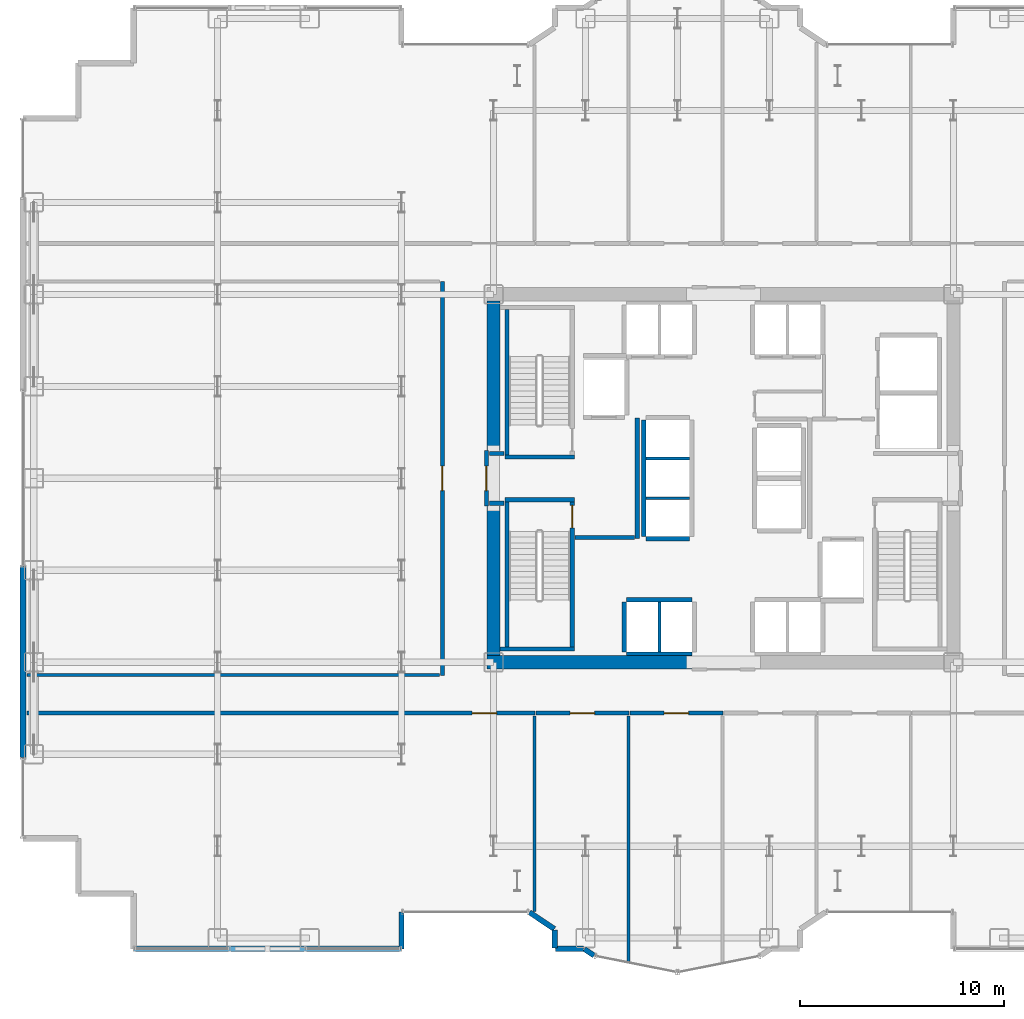
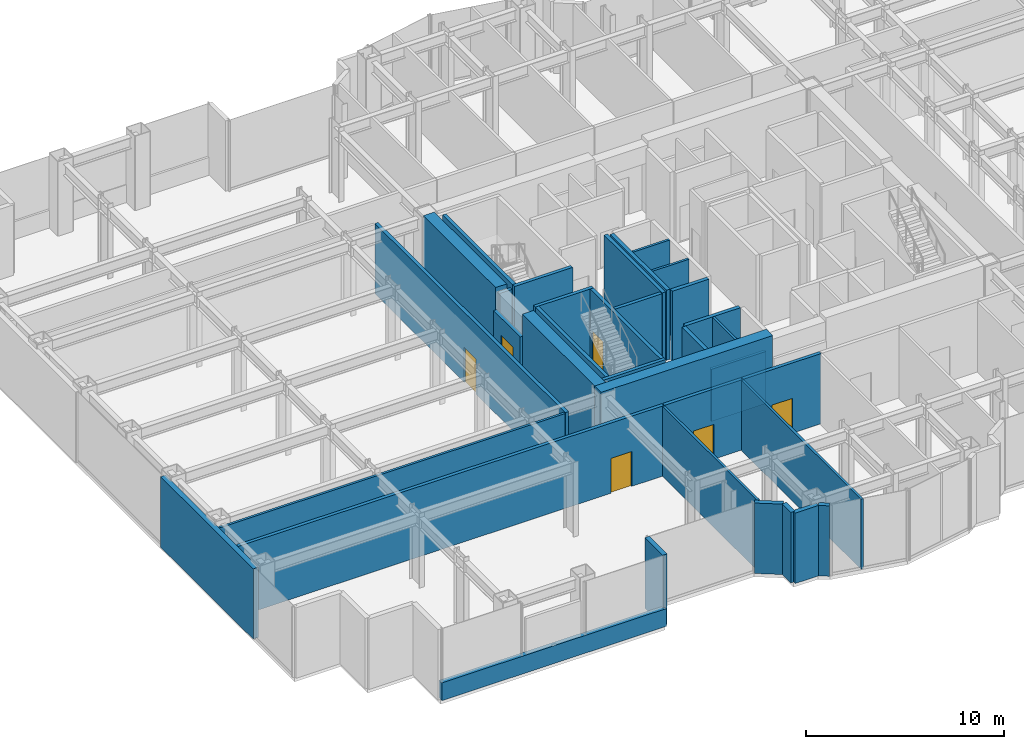
# One storey, part 22 of 30: 36 walls, 6 doors, 6 openings.
"""IFC4 building model written with IfcOpenShell, lengths in metres."""

import ifcopenshell
import ifcopenshell.guid

model = None  # the IFC model being written
_history = None  # IfcOwnerHistory: only IFC2X3 demands one
_inside = {}  # id of a spatial element -> (the spatial element, [elements in it])
_under = {}  # id of a project, library or spatial element -> (it, [spatial elements below it])
_declared = {}  # id of a project -> (the project, [libraries it declares])
_typed = {}  # id of a type object -> (the type object, [elements of that type])
_made_of = {}  # id of a material, layer set ... -> (it, [elements and type objects made of it])


def new_model(schema):
    """Start an empty IFC model of exactly this schema.

    Asked for "IFC4X3", IfcOpenShell would pick the latest addendum, in which some entities
    have other attributes; the version numbers below select the first issue.
    IFC2X3 requires an IfcOwnerHistory on every rooted entity: one is made here for all.
    """
    global model, _history
    if schema == "IFC4X3":
        model = ifcopenshell.file(schema_version=(4, 3, 0, 0))
    else:
        model = ifcopenshell.file(schema=schema)
    _inside.clear()
    _under.clear()
    _declared.clear()
    _typed.clear()
    _made_of.clear()
    _history = None
    if model.schema == "IFC2X3":
        org = make("IfcOrganization", Name="unknown")
        user = make(
            "IfcPersonAndOrganization",
            ThePerson=make("IfcPerson", FamilyName="unknown"),
            TheOrganization=org,
        )
        app = make(
            "IfcApplication",
            ApplicationDeveloper=org,
            Version="unknown",
            ApplicationFullName="unknown",
            ApplicationIdentifier="unknown",
        )
        _history = make(
            "IfcOwnerHistory",
            OwningUser=user,
            OwningApplication=app,
            ChangeAction="ADDED",
            CreationDate=0,
        )
    return model


def make(cls, **values):
    """One entity of the class cls with the attributes given. An attribute that is None is left unset."""
    return model.create_entity(
        cls, **{name: value for name, value in values.items() if value is not None}
    )


def rooted(cls, **values):
    """An entity with a GlobalId (a new one), such as an element, a storey or a relation."""
    return make(cls, GlobalId=ifcopenshell.guid.new(), OwnerHistory=_history, **values)


def si_unit(unit_type, name, prefix=None):
    """IfcSIUnit, for example si_unit("LENGTHUNIT", "METRE", prefix="MILLI")."""
    return make("IfcSIUnit", UnitType=unit_type, Prefix=prefix, Name=name)


def assignment(units):
    """IfcUnitAssignment: the units of a project."""
    return None if units is None else make("IfcUnitAssignment", Units=units)


def point(xyz):
    """IfcCartesianPoint."""
    return None if xyz is None else make("IfcCartesianPoint", Coordinates=xyz)


def direction(xyz):
    """IfcDirection."""
    return None if xyz is None else make("IfcDirection", DirectionRatios=xyz)


def frame(location, z_axis=None, x_axis=None):
    """IfcAxis2Placement3D, a coordinate frame: its origin and axes. An axis left out is left unset."""
    return make(
        "IfcAxis2Placement3D",
        Location=point(location),
        Axis=direction(z_axis),
        RefDirection=direction(x_axis),
    )


def frame_2d(location, x_axis=None):
    """IfcAxis2Placement2D, a coordinate frame in the plane: its origin and x axis."""
    return make(
        "IfcAxis2Placement2D", Location=point(location), RefDirection=direction(x_axis)
    )


def origin():
    """The frame at (0, 0, 0) with its axes left unset."""
    return frame((0.0, 0.0, 0.0))


def place(relative_to, where):
    """IfcLocalPlacement: puts the frame where relative to a parent placement (None: the world)."""
    return make(
        "IfcLocalPlacement", PlacementRelTo=relative_to, RelativePlacement=where
    )


def context(
    kind, dimensions, precision=None, world=None, true_north=None, identifier=None
):
    """IfcGeometricRepresentationContext, for example the 3D "Model" context."""
    return make(
        "IfcGeometricRepresentationContext",
        ContextIdentifier=identifier,
        ContextType=kind,
        CoordinateSpaceDimension=dimensions,
        Precision=precision,
        WorldCoordinateSystem=world,
        TrueNorth=true_north,
    )


def subcontext(parent, identifier, kind, view, scale=None):
    """IfcGeometricRepresentationSubContext, for example "Body" below "Model"."""
    return make(
        "IfcGeometricRepresentationSubContext",
        ContextIdentifier=identifier,
        ContextType=kind,
        ParentContext=parent,
        TargetScale=scale,
        TargetView=view,
    )


def project(units=None, contexts=None):
    """IfcProject with its units and contexts."""
    return rooted(
        "IfcProject",
        Name="project",
        RepresentationContexts=contexts,
        UnitsInContext=assignment(units),
    )


def spatial(cls, under=None, at=None, **own):
    """A site, building, storey or space (cls), placed at a placement, below another one or the project."""
    s = rooted(cls, ObjectPlacement=at, **own)
    if under is not None:
        _under.setdefault(under.id(), (under, []))[1].append(s)
    return s


def profile(cls, at=None, kind="AREA", **sizes):
    """A parametric profile (cls). Its sizes go by their IFC names, for example OverallWidth=200.0."""
    return make(cls, ProfileType=kind, Position=at, **sizes)


def rectangle(**sizes):
    """IfcRectangleProfileDef."""
    return profile("IfcRectangleProfileDef", **sizes)


def extrude(swept, where, along, depth):
    """IfcExtrudedAreaSolid: the profile swept, set in the frame where, extruded along a direction by depth."""
    return make(
        "IfcExtrudedAreaSolid",
        SweptArea=swept,
        Position=where,
        ExtrudedDirection=direction(along),
        Depth=depth,
    )


def shape(context_of_items, identifier, shape_type, items):
    """IfcShapeRepresentation: the items that make up one representation, for example the "Body"."""
    return make(
        "IfcShapeRepresentation",
        ContextOfItems=context_of_items,
        RepresentationIdentifier=identifier,
        RepresentationType=shape_type,
        Items=items,
    )


def source(mapping_origin, context_of_items, identifier, shape_type, items):
    """IfcRepresentationMap: a shape defined once, which mapped items show again and again."""
    return make(
        "IfcRepresentationMap",
        MappingOrigin=mapping_origin,
        MappedRepresentation=shape(context_of_items, identifier, shape_type, items),
    )


def transform(
    local_origin,
    x_axis=None,
    y_axis=None,
    z_axis=None,
    scale=None,
    scale2=None,
    scale3=None,
    uniform=True,
):
    """IfcCartesianTransformationOperator3D, or its non-uniform kind. x_axis, y_axis, z_axis: its Axis1, 2, 3."""
    if uniform:
        return make(
            "IfcCartesianTransformationOperator3D",
            Axis1=direction(x_axis),
            Axis2=direction(y_axis),
            LocalOrigin=point(local_origin),
            Scale=scale,
            Axis3=direction(z_axis),
        )
    return make(
        "IfcCartesianTransformationOperator3DnonUniform",
        Axis1=direction(x_axis),
        Axis2=direction(y_axis),
        LocalOrigin=point(local_origin),
        Scale=scale,
        Axis3=direction(z_axis),
        Scale2=scale2,
        Scale3=scale3,
    )


def mapped(mapping_source, mapping_target):
    """IfcMappedItem: shows the shape of a source again, moved by a transform."""
    return make(
        "IfcMappedItem", MappingSource=mapping_source, MappingTarget=mapping_target
    )


def material(Name=None, Category=None):
    """IfcMaterial."""
    return make("IfcMaterial", Name=Name, Category=Category)


def layer(
    of_material, thickness, ventilated=None, Name=None, Category=None, Priority=None
):
    """IfcMaterialLayer: one layer of a wall or slab, of a material (None: an air gap)."""
    return make(
        "IfcMaterialLayer",
        Material=of_material,
        LayerThickness=thickness,
        IsVentilated=ventilated,
        Name=Name,
        Category=Category,
        Priority=Priority,
    )


def layer_set(layers, Name=None):
    """IfcMaterialLayerSet."""
    return make("IfcMaterialLayerSet", MaterialLayers=layers, LayerSetName=Name)


def made_of(thing, what):
    """Note that an element or type object is made of a material, layer set ...; save() writes the relation."""
    if what is not None:
        _made_of.setdefault(what.id(), (what, []))[1].append(thing)
    return thing


def type_object(cls, material=None, **own):
    """A type object (cls), such as IfcWallType, which elements share."""
    return made_of(rooted(cls, **own), material)


def element(
    cls,
    number,
    at=None,
    inside=None,
    cuts=None,
    type_object=None,
    material=None,
    context=None,
    identifier="Body",
    shape_type=None,
    held_by="IfcProductDefinitionShape",
    body=None,
    shapes=None,
    **own,
):
    """One element of the class cls, such as IfcWall. Its Tag is "e" and its number.

    at: its placement. inside: the storey or other place that contains it. cuts: it is an
    opening in that element (IfcRelVoidsElement). A single representation is given by context,
    identifier, shape_type and body (its items); several are given by shapes. held_by: the class
    of the entity that holds the representations. save() writes the other relations.
    """
    e = rooted(cls, Tag="e%d" % number, ObjectPlacement=at, **own)
    if body is not None:
        shapes = [shape(context, identifier, shape_type, body)]
    if shapes is not None:
        e.Representation = make(held_by, Representations=shapes)
    if inside is not None:
        _inside.setdefault(inside.id(), (inside, []))[1].append(e)
    if cuts is not None:
        rooted(
            "IfcRelVoidsElement", RelatingBuildingElement=cuts, RelatedOpeningElement=e
        )
    if type_object is not None:
        _typed.setdefault(type_object.id(), (type_object, []))[1].append(e)
    return made_of(e, material)


def fill(opening, filler):
    """IfcRelFillsElement: the door or window that sits in an opening."""
    return rooted(
        "IfcRelFillsElement",
        RelatingOpeningElement=opening,
        RelatedBuildingElement=filler,
    )


def aggregate(whole, parts):
    """IfcRelAggregates: a whole, such as a stair, and the parts it consists of."""
    return rooted("IfcRelAggregates", RelatingObject=whole, RelatedObjects=parts)


def save(model, path):
    """Write the relations noted so far, then the file.

    IfcRelAggregates (storeys below a building ...), IfcRelContainedInSpatialStructure (elements
    in a storey), IfcRelDefinesByType, IfcRelAssociatesMaterial and IfcRelDeclares: one each for
    every whole, place, type object, material and project.
    """
    for whole, parts in _under.values():
        aggregate(whole, parts)
    for where, things in _inside.values():
        rooted(
            "IfcRelContainedInSpatialStructure",
            RelatedElements=things,
            RelatingStructure=where,
        )
    for kind, things in _typed.values():
        rooted("IfcRelDefinesByType", RelatedObjects=things, RelatingType=kind)
    for what, things in _made_of.values():
        rooted("IfcRelAssociatesMaterial", RelatedObjects=things, RelatingMaterial=what)
    for by, libraries in _declared.values():
        rooted("IfcRelDeclares", RelatingContext=by, RelatedDefinitions=libraries)
    model.write(path)


model = new_model("IFC4")

# Units and contexts
model_context = context("Model", 3, precision=1e-05, world=origin(), true_north=direction((0.0, 1.0)))
body_context = subcontext(model_context, "Body", "Model", "MODEL_VIEW")
ifc_project = project(units=[si_unit("LENGTHUNIT", "METRE"), si_unit("AREAUNIT", "SQUARE_METRE"), si_unit("VOLUMEUNIT", "CUBIC_METRE"), si_unit("PLANEANGLEUNIT", "RADIAN"), si_unit("MASSUNIT", "GRAM", prefix="KILO")], contexts=[model_context])

# Site, building, storey
site_placement = place(None, origin())
site = spatial("IfcSite", under=ifc_project, at=site_placement, CompositionType="ELEMENT")
building_placement = place(site_placement, origin())
building = spatial("IfcBuilding", under=site, at=building_placement, Name="Nefas-Gora Pilgrimage Tower", CompositionType="ELEMENT")
storey_placement = place(building_placement, frame((0.0, 0.0, 86.199951171875)))
storey = spatial("IfcBuildingStorey", under=building, at=storey_placement, Name="L20", CompositionType="ELEMENT", Elevation=86.199951171875)

# Walls
ifc_material_1 = material(Name="Concrete C60/75", Category="concrete")
ifc_layer_1 = layer(ifc_material_1, 0.64990234375)
ifc_layer_set_1 = layer_set([ifc_layer_1], Name="Concrete C60/75")
wall_type_1 = type_object("IfcWallType", Name="SW-CORE-650", PredefinedType="SHEAR", material=ifc_layer_set_1)
shared_shape_1 = source(origin(), body_context, "Body", "SweptSolid", [
    extrude(rectangle(XDim=10.02490234375, YDim=0.64990234375, at=frame_2d((5.012451171875, 0.0))), origin(), (0.0, 0.0, 1.0), 4.60009765625),
])
wall_1_placement = place(storey_placement, frame((-11.574951171875, -9.0, 0.0), z_axis=(0.0, 0.0, 1.0), x_axis=(1.0, 0.0, 0.0)))
element("IfcWall", 1, at=wall_1_placement, inside=storey, type_object=wall_type_1, Name="L20 Core Shear Wall S-West", PredefinedType="SHEAR", context=body_context, shape_type="MappedRepresentation", body=[
    mapped(shared_shape_1, transform((0.0, 0.0, 0.0), x_axis=(1.0, 0.0, 0.0), y_axis=(0.0, 1.0, 0.0), z_axis=(0.0, 0.0, 1.0), scale=1.0)),
])
shared_shape_2 = source(origin(), body_context, "Body", "SweptSolid", [
    extrude(rectangle(XDim=7.324951171875, YDim=0.64990234375, at=frame_2d((3.66259765625, 0.0))), origin(), (0.0, 0.0, 1.0), 4.60009765625),
])
for number, where, z_axis, x_axis, name in (
    (2, (-11.25, -8.675048828125, 0.0), (0.0, 0.0, 1.0), (0.0, 1.0, 0.0), "L20 Core Shear Wall W-South"),
    (3, (-11.25, 1.35009765625, 0.0), (0.0, 0.0, 1.0), (0.0, 1.0, 0.0), "L20 Core Shear Wall W-North"),
):
    element("IfcWall", number, at=place(storey_placement, frame(where, z_axis=z_axis, x_axis=x_axis)), inside=storey, type_object=wall_type_1, Name=name, PredefinedType="SHEAR", context=body_context, shape_type="MappedRepresentation", body=[
        mapped(shared_shape_2, transform((0.0, 0.0, 0.0), x_axis=(1.0, 0.0, 0.0), y_axis=(0.0, 1.0, 0.0), z_axis=(0.0, 0.0, 1.0), scale=1.0)),
    ])
ifc_material_2 = material(Name="Precast concrete C45/55", Category="concrete")
ifc_layer_2 = layer(ifc_material_2, 0.239990234375)
ifc_layer_set_2 = layer_set([ifc_layer_2], Name="Precast concrete C45/55")
wall_type_2 = type_object("IfcWallType", Name="EW-SERR-240", PredefinedType="SHEAR", material=ifc_layer_set_2)
shared_shape_3 = source(origin(), body_context, "Body", "SweptSolid", [
    extrude(rectangle(XDim=9.3798828125, YDim=0.300048828125, at=frame_2d((4.68994140625, 0.0))), origin(), (0.0, 0.0, 1.0), 4.35009765625),
])
wall_2_placement = place(storey_placement, frame((-34.27001953125, -13.68994140625, 0.0), z_axis=(0.0, 0.0, 1.0), x_axis=(0.0, 1.0, 0.0)))
element("IfcWall", 4, at=wall_2_placement, inside=storey, type_object=wall_type_2, Name="L20 Belt-Truss Precast Shear Cladding 1", PredefinedType="SHEAR", context=body_context, shape_type="MappedRepresentation", body=[
    mapped(shared_shape_3, transform((0.0, 0.0, 0.0), x_axis=(1.0, 0.0, 0.0), y_axis=(0.0, 1.0, 0.0), z_axis=(0.0, 0.0, 1.0), scale=1.0)),
])
ifc_material_3 = material(Name="Precast concrete C40/50", Category="concrete")
ifc_layer_3 = layer(ifc_material_3, 0.260009765625)
ifc_layer_set_3 = layer_set([ifc_layer_3], Name="Precast concrete C40/50")
wall_type_3 = type_object("IfcWallType", Name="EW-PORTAL-260", PredefinedType="SOLIDWALL", material=ifc_layer_set_3)
shared_shape_4 = source(origin(), body_context, "Body", "SweptSolid", [
    extrude(rectangle(XDim=1.800048828125, YDim=0.260009765625, at=frame_2d((0.89990234375, 0.0))), origin(), (0.0, 0.0, 1.0), 4.35009765625),
])
wall_3_placement = place(storey_placement, frame((-15.75, -23.02001953125, 0.0), z_axis=(0.0, 0.0, 1.0), x_axis=(0.0, 1.0, 0.0)))
element("IfcWall", 5, at=wall_3_placement, inside=storey, type_object=wall_type_3, Name="L20 Lobe Shoulder Precast Spandrel Pier 36", PredefinedType="SOLIDWALL", context=body_context, shape_type="MappedRepresentation", body=[
    mapped(shared_shape_4, transform((0.0, 0.0, 0.0), x_axis=(1.0, 0.0, 0.0), y_axis=(0.0, 1.0, 0.0), z_axis=(0.0, 0.0, 1.0), scale=1.0)),
])
shared_shape_5 = source(origin(), body_context, "Body", "SweptSolid", [
    extrude(rectangle(XDim=1.468994140625, YDim=0.260009765625, at=frame_2d((0.734375, 0.0))), origin(), (0.0, 0.0, 1.0), 4.35009765625),
])
wall_4_placement = place(storey_placement, frame((-9.49462890625, -21.235595703125, 0.0), z_axis=(0.0, 0.0, 1.0), x_axis=(0.831461760506, -0.555581983884, 0.0)))
element("IfcWall", 6, at=wall_4_placement, inside=storey, type_object=wall_type_3, Name="L20 Lobe Shoulder Precast Spandrel Pier 37", PredefinedType="SOLIDWALL", context=body_context, shape_type="MappedRepresentation", body=[
    mapped(shared_shape_5, transform((0.0, 0.0, 0.0), x_axis=(1.0, 0.0, 0.0), y_axis=(0.0, 1.0, 0.0), z_axis=(0.0, 0.0, 1.0), scale=1.0)),
])
shared_shape_6 = source(origin(), body_context, "Body", "SweptSolid", [
    extrude(rectangle(XDim=0.896728515625, YDim=0.260009765625, at=frame_2d((0.4482421875, 0.0))), origin(), (0.0, 0.0, 1.0), 4.35009765625),
])
wall_5_placement = place(storey_placement, frame((-8.25, -22.09521484375, 0.0), z_axis=(0.0, 0.0, 1.0), x_axis=(0.0, -1.0, 0.0)))
element("IfcWall", 7, at=wall_5_placement, inside=storey, type_object=wall_type_3, Name="L20 Lobe Shoulder Precast Spandrel Pier 38", PredefinedType="SOLIDWALL", context=body_context, shape_type="MappedRepresentation", body=[
    mapped(shared_shape_6, transform((0.0, 0.0, 0.0), x_axis=(1.0, 0.0, 0.0), y_axis=(0.0, 1.0, 0.0), z_axis=(0.0, 0.0, 1.0), scale=1.0)),
])
shared_shape_7 = source(origin(), body_context, "Body", "SweptSolid", [
    extrude(rectangle(XDim=1.369873046875, YDim=0.260009765625, at=frame_2d((0.68505859375, 0.0))), origin(), (0.0, 0.0, 1.0), 4.35009765625),
])
wall_6_placement = place(storey_placement, frame((-8.221923828125, -23.02001953125, 0.0), z_axis=(0.0, 0.0, 1.0), x_axis=(1.0, 0.0, 0.0)))
element("IfcWall", 8, at=wall_6_placement, inside=storey, type_object=wall_type_3, Name="L20 Lobe Shoulder Precast Spandrel Pier 39", PredefinedType="SOLIDWALL", context=body_context, shape_type="MappedRepresentation", body=[
    mapped(shared_shape_7, transform((0.0, 0.0, 0.0), x_axis=(1.0, 0.0, 0.0), y_axis=(0.0, 1.0, 0.0), z_axis=(0.0, 0.0, 1.0), scale=1.0)),
])
shared_shape_8 = source(origin(), body_context, "Body", "SweptSolid", [
    extrude(rectangle(XDim=0.5654296875, YDim=0.260009765625, at=frame_2d((0.28271484375, 0.0))), origin(), (0.0, 0.0, 1.0), 4.35009765625),
])
wall_7_placement = place(storey_placement, frame((-6.80078125, -23.03564453125, 0.0), z_axis=(0.0, 0.0, 1.0), x_axis=(0.831651492666, -0.555297933317, 0.0)))
element("IfcWall", 9, at=wall_7_placement, inside=storey, type_object=wall_type_3, Name="L20 Lobe Shoulder Precast Spandrel Pier 40", PredefinedType="SOLIDWALL", context=body_context, shape_type="MappedRepresentation", body=[
    mapped(shared_shape_8, transform((0.0, 0.0, 0.0), x_axis=(1.0, 0.0, 0.0), y_axis=(0.0, 1.0, 0.0), z_axis=(0.0, 0.0, 1.0), scale=1.0)),
])
ifc_layer_4 = layer(ifc_material_2, 0.280029296875)
ifc_layer_set_4 = layer_set([ifc_layer_4], Name="Precast concrete C45/55")
wall_type_4 = type_object("IfcWallType", Name="EW-PLANT-280", PredefinedType="SOLIDWALL", material=ifc_layer_set_4)
shared_shape_9 = source(origin(), body_context, "Body", "SweptSolid", [
    extrude(rectangle(XDim=13.1201171875, YDim=0.280029296875, at=frame_2d((6.56005859375, 0.0))), origin(), (0.0, 0.0, 1.0), 1.10009765625),
])
wall_8_placement = place(storey_placement, frame((-28.8701171875, -23.02001953125, 0.0), z_axis=(0.0, 0.0, 1.0), x_axis=(1.0, 0.0, 0.0)))
element("IfcWall", 10, at=wall_8_placement, inside=storey, type_object=wall_type_4, Name="L20 Plant Upstand Spandrel Wall 35", PredefinedType="SOLIDWALL", context=body_context, shape_type="MappedRepresentation", body=[
    mapped(shared_shape_9, transform((0.0, 0.0, 0.0), x_axis=(1.0, 0.0, 0.0), y_axis=(0.0, 1.0, 0.0), z_axis=(0.0, 0.0, 1.0), scale=1.0)),
])
ifc_material_4 = material(Name="Concrete C45/55", Category="concrete")
ifc_layer_5 = layer(ifc_material_4, 0.199951171875)
ifc_layer_set_5 = layer_set([ifc_layer_5], Name="Concrete C45/55")
wall_type_5 = type_object("IfcWallType", Name="IW-STAIR-200", PredefinedType="SOLIDWALL", material=ifc_layer_set_5)
shared_shape_10 = source(origin(), body_context, "Body", "SweptSolid", [
    extrude(rectangle(XDim=3.39990234375, YDim=0.199951171875, at=frame_2d((1.699951171875, 0.0))), origin(), (0.0, 0.0, 1.0), 4.60009765625),
])
for number, where, z_axis, x_axis, name in (
    (11, (-7.300048828125, 1.050048828125, 0.0), (0.0, 0.0, 1.0), (-1.0, 0.0, 0.0), "L20 Stairwell Shear Wall ST-01-near"),
    (12, (-10.699951171875, -1.050048828125, 0.0), (0.0, 0.0, 1.0), (1.0, 0.0, 0.0), "L20 Stairwell Shear Wall ST-03-near"),
):
    element("IfcWall", number, at=place(storey_placement, frame(where, z_axis=z_axis, x_axis=x_axis)), inside=storey, type_object=wall_type_5, Name=name, PredefinedType="SOLIDWALL", context=body_context, shape_type="MappedRepresentation", body=[
        mapped(shared_shape_10, transform((0.0, 0.0, 0.0), x_axis=(1.0, 0.0, 0.0), y_axis=(0.0, 1.0, 0.0), z_axis=(0.0, 0.0, 1.0), scale=1.0)),
    ])
shared_shape_11 = source(origin(), body_context, "Body", "SweptSolid", [
    extrude(rectangle(XDim=3.6298828125, YDim=0.199951171875, at=frame_2d((1.81494140625, 0.0))), origin(), (0.0, 0.0, 1.0), 4.60009765625),
])
wall_9_placement = place(storey_placement, frame((-10.929931640625, -8.35009765625, 0.0), z_axis=(0.0, 0.0, 1.0), x_axis=(1.0, 0.0, 0.0)))
element("IfcWall", 13, at=wall_9_placement, inside=storey, type_object=wall_type_5, Name="L20 Stairwell Shear Wall ST-03-far", PredefinedType="SOLIDWALL", context=body_context, shape_type="MappedRepresentation", body=[
    mapped(shared_shape_11, transform((0.0, 0.0, 0.0), x_axis=(1.0, 0.0, 0.0), y_axis=(0.0, 1.0, 0.0), z_axis=(0.0, 0.0, 1.0), scale=1.0)),
])
shared_shape_12 = source(origin(), body_context, "Body", "SweptSolid", [
    extrude(rectangle(XDim=7.10009765625, YDim=0.199951171875, at=frame_2d((3.550048828125, 0.0))), origin(), (0.0, 0.0, 1.0), 4.60009765625),
])
for number, where, z_axis, x_axis, name in (
    (14, (-10.60009765625, 1.14990234375, 0.0), (0.0, 0.0, 1.0), (0.0, 1.0, 0.0), "L20 Stairwell Shear Wall ST-01-right"),
    (15, (-10.60009765625, -1.14990234375, 0.0), (0.0, 0.0, 1.0), (0.0, -1.0, 0.0), "L20 Stairwell Shear Wall ST-03-left"),
):
    element("IfcWall", number, at=place(storey_placement, frame(where, z_axis=z_axis, x_axis=x_axis)), inside=storey, type_object=wall_type_5, Name=name, PredefinedType="SOLIDWALL", context=body_context, shape_type="MappedRepresentation", body=[
        mapped(shared_shape_12, transform((0.0, 0.0, 0.0), x_axis=(1.0, 0.0, 0.0), y_axis=(0.0, 1.0, 0.0), z_axis=(0.0, 0.0, 1.0), scale=1.0)),
    ])

# Wall, opening, door
wall_10_placement = place(storey_placement, frame((-7.39990234375, -1.14990234375, 0.0), z_axis=(0.0, 0.0, 1.0), x_axis=(0.0, -1.0, 0.0)))
wall_10 = element("IfcWall", 16, at=wall_10_placement, inside=storey, type_object=wall_type_5, Name="L20 Stairwell Shear Wall ST-03-right", PredefinedType="SOLIDWALL", context=body_context, shape_type="MappedRepresentation", body=[
    mapped(shared_shape_12, transform((0.0, 0.0, 0.0), x_axis=(1.0, 0.0, 0.0), y_axis=(0.0, 1.0, 0.0), z_axis=(0.0, 0.0, 1.0), scale=1.0)),
])
opening_1_placement = place(wall_10_placement, frame((0.179931640625, 0.0, 0.0)))
opening_1 = element("IfcOpeningElement", 17, at=opening_1_placement, cuts=wall_10, Name="Opening ID-ST1", PredefinedType="OPENING", context=body_context, shape_type="SweptSolid", body=[
    extrude(rectangle(XDim=1.10009765625, YDim=2.14990234375, at=frame_2d((0.550048828125, 1.074951171875))), frame((0.0, 0.10986328125, 0.0), z_axis=(0.0, -1.0, 0.0), x_axis=(1.0, 0.0, 0.0)), (0.0, 0.0, 1.0), 0.219970703125),
])
ifc_material_5 = material(Name="Painted galvanised steel fire stair door", Category="steel")
door_type_1 = type_object("IfcDoorType", Name="DR-INT-STAIR-1100", OperationType="NOTDEFINED", PredefinedType="DOOR", material=ifc_material_5)
shared_shape_13 = source(origin(), body_context, "Body", "SweptSolid", [
    extrude(rectangle(XDim=1.10009765625, YDim=2.14990234375, at=frame_2d((0.550048828125, 1.074951171875))), frame((0.0, 0.02490234375, 0.0), z_axis=(0.0, -1.0, 0.0), x_axis=(1.0, 0.0, 0.0)), (0.0, 0.0, 1.0), 0.050048828125),
])
door_1_placement = place(opening_1_placement, origin())
door_1 = element("IfcDoor", 18, at=door_1_placement, inside=storey, type_object=door_type_1, Name="L20 Protected Exit Stair Door ST-03", OperationType="SINGLE_SWING_RIGHT", OverallHeight=2.14990234375, OverallWidth=1.10009765625, PredefinedType="DOOR", context=body_context, shape_type="MappedRepresentation", body=[
    mapped(shared_shape_13, transform((0.0, 0.0, 0.0), x_axis=(1.0, 0.0, 0.0), y_axis=(0.0, 1.0, 0.0), z_axis=(0.0, 0.0, 1.0), scale=1.0)),
])
fill(opening_1, door_1)

# Walls
ifc_material_6 = material(Name="Concrete C40/50", Category="concrete")
ifc_layer_6 = layer(ifc_material_6, 0.219970703125)
ifc_layer_set_6 = layer_set([ifc_layer_6], Name="Concrete C40/50")
wall_type_6 = type_object("IfcWallType", Name="IW-SHAFT-220", PredefinedType="SOLIDWALL", material=ifc_layer_set_6)
shared_shape_14 = source(origin(), body_context, "Body", "SweptSolid", [
    extrude(rectangle(XDim=3.199951171875, YDim=0.219970703125, at=frame_2d((1.60009765625, 0.0))), origin(), (0.0, 0.0, 1.0), 4.3349609375),
])
wall_11_placement = place(storey_placement, frame((-1.550048828125, -5.93994140625, 0.0), z_axis=(0.0, 0.0, 1.0), x_axis=(-1.0, 0.0, 0.0)))
element("IfcWall", 19, at=wall_11_placement, inside=storey, type_object=wall_type_6, Name="L20 Hoistway Wall PL2-W-N", PredefinedType="SOLIDWALL", context=body_context, shape_type="MappedRepresentation", body=[
    mapped(shared_shape_14, transform((0.0, 0.0, 0.0), x_axis=(1.0, 0.0, 0.0), y_axis=(0.0, 1.0, 0.0), z_axis=(0.0, 0.0, 1.0), scale=1.0)),
])
ifc_material_7 = material(Name="Gypsum acoustic stud partition")
ifc_layer_7 = layer(ifc_material_7, 0.159912109375)
ifc_layer_set_7 = layer_set([ifc_layer_7], Name="Gypsum acoustic stud partition")
wall_type_7 = type_object("IfcWallType", Name="IW-CORR-160", PredefinedType="PARTITIONING", material=ifc_layer_set_7)
shared_shape_15 = source(origin(), body_context, "Body", "SweptSolid", [
    extrude(rectangle(XDim=3.199951171875, YDim=0.159912109375, at=frame_2d((1.60009765625, 0.0))), origin(), (0.0, 0.0, 1.0), 3.22509765625),
])
wall_12_placement = place(storey_placement, frame((-4.75, -8.580078125, 0.0), z_axis=(0.0, 0.0, 1.0), x_axis=(1.0, 0.0, 0.0)))
element("IfcWall", 20, at=wall_12_placement, inside=storey, type_object=wall_type_7, Name="L20 Hoistway Wall PL2-W-S", PredefinedType="PARTITIONING", context=body_context, shape_type="MappedRepresentation", body=[
    mapped(shared_shape_15, transform((0.0, 0.0, 0.0), x_axis=(1.0, 0.0, 0.0), y_axis=(0.0, 1.0, 0.0), z_axis=(0.0, 0.0, 1.0), scale=1.0)),
])
shared_shape_16 = source(origin(), body_context, "Body", "SweptSolid", [
    extrude(rectangle(XDim=2.429931640625, YDim=0.219970703125, at=frame_2d((1.21484375, 0.0))), origin(), (0.0, 0.0, 1.0), 4.3349609375),
])
wall_13_placement = place(storey_placement, frame((-4.860107421875, -6.06005859375, 0.0), z_axis=(0.0, 0.0, 1.0), x_axis=(0.0, -1.0, 0.0)))
element("IfcWall", 21, at=wall_13_placement, inside=storey, type_object=wall_type_6, Name="L20 Hoistway Wall PL2-W-W", PredefinedType="SOLIDWALL", context=body_context, shape_type="MappedRepresentation", body=[
    mapped(shared_shape_16, transform((0.0, 0.0, 0.0), x_axis=(1.0, 0.0, 0.0), y_axis=(0.0, 1.0, 0.0), z_axis=(0.0, 0.0, 1.0), scale=1.0)),
])
ifc_material_8 = material(Name="Gypsum twin-stud partition")
ifc_layer_8 = layer(ifc_material_8, 0.139892578125)
ifc_layer_set_8 = layer_set([ifc_layer_8], Name="Gypsum twin-stud partition")
wall_type_8 = type_object("IfcWallType", Name="IW-UNIT-140", PredefinedType="PARTITIONING", material=ifc_layer_set_8)
shared_shape_17 = source(origin(), body_context, "Body", "SweptSolid", [
    extrude(rectangle(XDim=2.429931640625, YDim=0.139892578125, at=frame_2d((1.21484375, 0.0))), origin(), (0.0, 0.0, 1.0), 4.3349609375),
])
wall_14_placement = place(storey_placement, frame((-3.125, -8.489990234375, 0.0), z_axis=(0.0, 0.0, 1.0), x_axis=(0.0, 1.0, 0.0)))
element("IfcWall", 22, at=wall_14_placement, inside=storey, type_object=wall_type_8, Name="L20 Hoistway Wall PL2-W-DIV", PredefinedType="PARTITIONING", context=body_context, shape_type="MappedRepresentation", body=[
    mapped(shared_shape_17, transform((0.0, 0.0, 0.0), x_axis=(1.0, 0.0, 0.0), y_axis=(0.0, 1.0, 0.0), z_axis=(0.0, 0.0, 1.0), scale=1.0)),
])
shared_shape_18 = source(origin(), body_context, "Body", "SweptSolid", [
    extrude(rectangle(XDim=5.7001953125, YDim=0.219970703125, at=frame_2d((2.85009765625, 0.0))), origin(), (0.0, 0.0, 1.0), 4.3349609375),
])
wall_15_placement = place(storey_placement, frame((-3.909912109375, 2.85009765625, 0.0), z_axis=(0.0, 0.0, 1.0), x_axis=(0.0, -1.0, 0.0)))
element("IfcWall", 23, at=wall_15_placement, inside=storey, type_object=wall_type_6, Name="L20 Hoistway Wall PL3-01-03-W", PredefinedType="SOLIDWALL", context=body_context, shape_type="MappedRepresentation", body=[
    mapped(shared_shape_18, transform((0.0, 0.0, 0.0), x_axis=(1.0, 0.0, 0.0), y_axis=(0.0, 1.0, 0.0), z_axis=(0.0, 0.0, 1.0), scale=1.0)),
])
shared_shape_19 = source(origin(), body_context, "Body", "SweptSolid", [
    extrude(rectangle(XDim=2.130126953125, YDim=0.219970703125, at=frame_2d((1.06494140625, 0.0))), origin(), (0.0, 0.0, 1.0), 4.3349609375),
])
wall_16_placement = place(storey_placement, frame((-3.7900390625, -2.9599609375, 0.0), z_axis=(0.0, 0.0, 1.0), x_axis=(1.0, 0.0, 0.0)))
element("IfcWall", 24, at=wall_16_placement, inside=storey, type_object=wall_type_6, Name="L20 Hoistway Wall PL3-01-S", PredefinedType="SOLIDWALL", context=body_context, shape_type="MappedRepresentation", body=[
    mapped(shared_shape_19, transform((0.0, 0.0, 0.0), x_axis=(1.0, 0.0, 0.0), y_axis=(0.0, 1.0, 0.0), z_axis=(0.0, 0.0, 1.0), scale=1.0)),
])
shared_shape_20 = source(origin(), body_context, "Body", "SweptSolid", [
    extrude(rectangle(XDim=2.130126953125, YDim=0.139892578125, at=frame_2d((1.06494140625, 0.0))), origin(), (0.0, 0.0, 1.0), 4.3349609375),
])
for number, where, z_axis, x_axis, name in (
    (25, (-3.7900390625, -0.97509765625, 0.0), (0.0, 0.0, 1.0), (1.0, 0.0, 0.0), "L20 Hoistway Wall PL3-01-02-DIV"),
    (26, (-3.7900390625, 0.97509765625, 0.0), (0.0, 0.0, 1.0), (1.0, 0.0, 0.0), "L20 Hoistway Wall PL3-02-03-DIV"),
):
    element("IfcWall", number, at=place(storey_placement, frame(where, z_axis=z_axis, x_axis=x_axis)), inside=storey, type_object=wall_type_8, Name=name, PredefinedType="PARTITIONING", context=body_context, shape_type="MappedRepresentation", body=[
        mapped(shared_shape_20, transform((0.0, 0.0, 0.0), x_axis=(1.0, 0.0, 0.0), y_axis=(0.0, 1.0, 0.0), z_axis=(0.0, 0.0, 1.0), scale=1.0)),
    ])

# Wall, opening, door
ifc_material_9 = material(Name="Gypsum fire-rated shaftwall")
ifc_layer_9 = layer(ifc_material_9, 0.199951171875)
ifc_layer_set_9 = layer_set([ifc_layer_9], Name="Gypsum fire-rated shaftwall")
wall_type_9 = type_object("IfcWallType", Name="IW-FFLOB-200", PredefinedType="PARTITIONING", material=ifc_layer_set_9)
shared_shape_21 = source(origin(), body_context, "Body", "SweptSolid", [
    extrude(rectangle(XDim=2.7001953125, YDim=0.199951171875, at=frame_2d((1.35009765625, 0.0))), origin(), (0.0, 0.0, 1.0), 3.22509765625),
])
wall_17_placement = place(storey_placement, frame((-11.60009765625, -1.35009765625, 0.0), z_axis=(0.0, 0.0, 1.0), x_axis=(0.0, 1.0, 0.0)))
wall_17 = element("IfcWall", 27, at=wall_17_placement, inside=storey, type_object=wall_type_9, Name="L20 FF Lobby West Portal Wall 3", PredefinedType="PARTITIONING", context=body_context, shape_type="MappedRepresentation", body=[
    mapped(shared_shape_21, transform((0.0, 0.0, 0.0), x_axis=(1.0, 0.0, 0.0), y_axis=(0.0, 1.0, 0.0), z_axis=(0.0, 0.0, 1.0), scale=1.0)),
])
opening_2_placement = place(wall_17_placement, frame((0.75, 0.0, 0.0)))
opening_2 = element("IfcOpeningElement", 28, at=opening_2_placement, cuts=wall_17, Name="Opening ID-FF1", PredefinedType="OPENING", context=body_context, shape_type="SweptSolid", body=[
    extrude(rectangle(XDim=1.199951171875, YDim=2.14990234375, at=frame_2d((0.60009765625, 1.074951171875))), frame((0.0, 0.10986328125, 0.0), z_axis=(0.0, -1.0, 0.0), x_axis=(1.0, 0.0, 0.0)), (0.0, 0.0, 1.0), 0.219970703125),
])
ifc_material_10 = material(Name="Smoke-sealed steel firefighting lobby door", Category="steel")
door_type_2 = type_object("IfcDoorType", Name="DR-INT-FFLOB-1200", OperationType="NOTDEFINED", PredefinedType="DOOR", material=ifc_material_10)
shared_shape_22 = source(origin(), body_context, "Body", "SweptSolid", [
    extrude(rectangle(XDim=1.199951171875, YDim=2.14990234375, at=frame_2d((0.60009765625, 1.074951171875))), frame((0.0, 0.02490234375, 0.0), z_axis=(0.0, -1.0, 0.0), x_axis=(1.0, 0.0, 0.0)), (0.0, 0.0, 1.0), 0.050048828125),
])
door_2_placement = place(opening_2_placement, origin())
door_2 = element("IfcDoor", 29, at=door_2_placement, inside=storey, type_object=door_type_2, Name="L20 FF Lobby West Portal Door 1", OperationType="SINGLE_SWING_RIGHT", OverallHeight=2.14990234375, OverallWidth=1.199951171875, PredefinedType="DOOR", context=body_context, shape_type="MappedRepresentation", body=[
    mapped(shared_shape_22, transform((0.0, 0.0, 0.0), x_axis=(1.0, 0.0, 0.0), y_axis=(0.0, 1.0, 0.0), z_axis=(0.0, 0.0, 1.0), scale=1.0)),
])
fill(opening_2, door_2)

# Walls
shared_shape_23 = source(origin(), body_context, "Body", "SweptSolid", [
    extrude(rectangle(XDim=5.89990234375, YDim=0.199951171875, at=frame_2d((2.949951171875, 0.0))), origin(), (0.0, 0.0, 1.0), 4.3349609375),
])
wall_18_placement = place(storey_placement, frame((-4.219970703125, -2.949951171875, 0.0), z_axis=(0.0, 0.0, 1.0), x_axis=(0.0, 1.0, 0.0)))
element("IfcWall", 30, at=wall_18_placement, inside=storey, type_object=wall_type_9, Name="L20 FF Lobby West Inner Wall Wall 4", PredefinedType="PARTITIONING", context=body_context, shape_type="MappedRepresentation", body=[
    mapped(shared_shape_23, transform((0.0, 0.0, 0.0), x_axis=(1.0, 0.0, 0.0), y_axis=(0.0, 1.0, 0.0), z_axis=(0.0, 0.0, 1.0), scale=1.0)),
])
shared_shape_24 = source(origin(), body_context, "Body", "SweptSolid", [
    extrude(rectangle(XDim=2.89990234375, YDim=0.199951171875, at=frame_2d((1.449951171875, 0.0))), origin(), (0.0, 0.0, 1.0), 4.3349609375),
])
wall_19_placement = place(storey_placement, frame((-7.260009765625, -2.89990234375, 0.0), z_axis=(0.0, 0.0, 1.0), x_axis=(1.0, 0.0, 0.0)))
element("IfcWall", 31, at=wall_19_placement, inside=storey, type_object=wall_type_9, Name="L20 FF Lobby West South Wall Wall 5", PredefinedType="PARTITIONING", context=body_context, shape_type="MappedRepresentation", body=[
    mapped(shared_shape_24, transform((0.0, 0.0, 0.0), x_axis=(1.0, 0.0, 0.0), y_axis=(0.0, 1.0, 0.0), z_axis=(0.0, 0.0, 1.0), scale=1.0)),
])
shared_shape_25 = source(origin(), body_context, "Body", "SweptSolid", [
    extrude(rectangle(XDim=0.719970703125, YDim=0.199951171875, at=frame_2d((0.35986328125, 0.0))), origin(), (0.0, 0.0, 1.0), 4.3349609375),
])
for number, where, z_axis, x_axis, name in (
    (32, (-11.4599609375, 1.219970703125, 0.0), (0.0, 0.0, 1.0), (1.0, 0.0, 0.0), "L20 FF Lobby West Throat N Wall 6"),
    (33, (-11.4599609375, -1.219970703125, 0.0), (0.0, 0.0, 1.0), (1.0, 0.0, 0.0), "L20 FF Lobby West Throat S Wall 7"),
):
    element("IfcWall", number, at=place(storey_placement, frame(where, z_axis=z_axis, x_axis=x_axis)), inside=storey, type_object=wall_type_9, Name=name, PredefinedType="PARTITIONING", context=body_context, shape_type="MappedRepresentation", body=[
        mapped(shared_shape_25, transform((0.0, 0.0, 0.0), x_axis=(1.0, 0.0, 0.0), y_axis=(0.0, 1.0, 0.0), z_axis=(0.0, 0.0, 1.0), scale=1.0)),
    ])

# Wall, opening, door
ifc_layer_10 = layer(ifc_material_6, 0.199951171875)
ifc_layer_set_10 = layer_set([ifc_layer_10], Name="Concrete C40/50")
wall_type_10 = type_object("IfcWallType", Name="IW-PLANT-200", PredefinedType="SOLIDWALL", material=ifc_layer_set_10)
shared_shape_26 = source(origin(), body_context, "Body", "SweptSolid", [
    extrude(rectangle(XDim=19.27978515625, YDim=0.199951171875, at=frame_2d((9.639892578125, 0.0))), origin(), (0.0, 0.0, 1.0), 4.3349609375),
])
wall_20_placement = place(storey_placement, frame((-13.75, -9.639892578125, 0.0), z_axis=(0.0, 0.0, 1.0), x_axis=(0.0, 1.0, 0.0)))
wall_20 = element("IfcWall", 34, at=wall_20_placement, inside=storey, type_object=wall_type_10, Name="L20 Refuge Area West Partition Wall 19", PredefinedType="SOLIDWALL", context=body_context, shape_type="MappedRepresentation", body=[
    mapped(shared_shape_26, transform((0.0, 0.0, 0.0), x_axis=(1.0, 0.0, 0.0), y_axis=(0.0, 1.0, 0.0), z_axis=(0.0, 0.0, 1.0), scale=1.0)),
])
opening_3_placement = place(wall_20_placement, frame((9.0400390625, 0.0, 0.0)))
opening_3 = element("IfcOpeningElement", 35, at=opening_3_placement, cuts=wall_20, Name="Opening ID-PL1", PredefinedType="OPENING", context=body_context, shape_type="SweptSolid", body=[
    extrude(rectangle(XDim=1.199951171875, YDim=2.14990234375, at=frame_2d((0.60009765625, 1.074951171875))), frame((0.0, 0.10986328125, 0.0), z_axis=(0.0, -1.0, 0.0), x_axis=(1.0, 0.0, 0.0)), (0.0, 0.0, 1.0), 0.219970703125),
])
ifc_material_11 = material(Name="Heavy-duty steel plant room fire door", Category="steel")
door_type_3 = type_object("IfcDoorType", Name="DR-INT-PLANT-1200", OperationType="NOTDEFINED", PredefinedType="DOOR", material=ifc_material_11)
door_3_placement = place(opening_3_placement, origin())
door_3 = element("IfcDoor", 36, at=door_3_placement, inside=storey, type_object=door_type_3, Name="L20 Refuge Area West Door 7", OperationType="SINGLE_SWING_RIGHT", OverallHeight=2.14990234375, OverallWidth=1.199951171875, PredefinedType="DOOR", context=body_context, shape_type="MappedRepresentation", body=[
    mapped(shared_shape_22, transform((0.0, 0.0, 0.0), x_axis=(1.0, 0.0, 0.0), y_axis=(0.0, 1.0, 0.0), z_axis=(0.0, 0.0, 1.0), scale=1.0)),
])
fill(opening_3, door_3)

# Wall
shared_shape_27 = source(origin(), body_context, "Body", "SweptSolid", [
    extrude(rectangle(XDim=20.190185546875, YDim=0.139892578125, at=frame_2d((10.09521484375, 0.0))), origin(), (0.0, 0.0, 1.0), 4.3349609375),
])
wall_21_placement = place(storey_placement, frame((-34.080078125, -9.6298828125, 0.0), z_axis=(0.0, 0.0, 1.0), x_axis=(1.0, 0.0, 0.0)))
element("IfcWall", 37, at=wall_21_placement, inside=storey, type_object=wall_type_8, Name="L20 Refuge Area West Partition Wall 20", PredefinedType="PARTITIONING", context=body_context, shape_type="MappedRepresentation", body=[
    mapped(shared_shape_27, transform((0.0, 0.0, 0.0), x_axis=(1.0, 0.0, 0.0), y_axis=(0.0, 1.0, 0.0), z_axis=(0.0, 0.0, 1.0), scale=1.0)),
])

# Wall, opening, door
shared_shape_28 = source(origin(), body_context, "Body", "SweptSolid", [
    extrude(rectangle(XDim=24.85009765625, YDim=0.199951171875, at=frame_2d((12.425048828125, 0.0))), origin(), (0.0, 0.0, 1.0), 4.3349609375),
])
wall_22_placement = place(storey_placement, frame((-34.080078125, -11.489990234375, 0.0), z_axis=(0.0, 0.0, 1.0), x_axis=(1.0, 0.0, 0.0)))
wall_22 = element("IfcWall", 38, at=wall_22_placement, inside=storey, type_object=wall_type_10, Name="L20 Stair Smoke Pressurisation Fan Plant Room Partition Wall 36", PredefinedType="SOLIDWALL", context=body_context, shape_type="MappedRepresentation", body=[
    mapped(shared_shape_28, transform((0.0, 0.0, 0.0), x_axis=(1.0, 0.0, 0.0), y_axis=(0.0, 1.0, 0.0), z_axis=(0.0, 0.0, 1.0), scale=1.0)),
])
opening_4_placement = place(wall_22_placement, frame((21.7861328125, 0.0, 0.0)))
opening_4 = element("IfcOpeningElement", 39, at=opening_4_placement, cuts=wall_22, Name="Opening ID-PL1", PredefinedType="OPENING", context=body_context, shape_type="SweptSolid", body=[
    extrude(rectangle(XDim=1.199951171875, YDim=2.14990234375, at=frame_2d((0.60009765625, 1.074951171875))), frame((0.0, 0.10986328125, 0.0), z_axis=(0.0, -1.0, 0.0), x_axis=(1.0, 0.0, 0.0)), (0.0, 0.0, 1.0), 0.219970703125),
])
door_4_placement = place(opening_4_placement, origin())
door_4 = element("IfcDoor", 40, at=door_4_placement, inside=storey, type_object=door_type_3, Name="L20 Stair Smoke Pressurisation Fan Plant Room Door 15", OperationType="SINGLE_SWING_RIGHT", OverallHeight=2.14990234375, OverallWidth=1.199951171875, PredefinedType="DOOR", context=body_context, shape_type="MappedRepresentation", body=[
    mapped(shared_shape_22, transform((0.0, 0.0, 0.0), x_axis=(1.0, 0.0, 0.0), y_axis=(0.0, 1.0, 0.0), z_axis=(0.0, 0.0, 1.0), scale=1.0)),
])
fill(opening_4, door_4)

# Wall
shared_shape_29 = source(origin(), body_context, "Body", "SweptSolid", [
    extrude(rectangle(XDim=9.573974609375, YDim=0.139892578125, at=frame_2d((4.787109375, 0.0))), origin(), (0.0, 0.0, 1.0), 4.3349609375),
])
wall_23_placement = place(storey_placement, frame((-9.239990234375, -21.203857421875, 0.0), z_axis=(0.0, 0.0, 1.0), x_axis=(0.0, 1.0, 0.0)))
element("IfcWall", 41, at=wall_23_placement, inside=storey, type_object=wall_type_8, Name="L20 Stair Smoke Pressurisation Fan Plant Room Partition Wall 37", PredefinedType="PARTITIONING", context=body_context, shape_type="MappedRepresentation", body=[
    mapped(shared_shape_29, transform((0.0, 0.0, 0.0), x_axis=(1.0, 0.0, 0.0), y_axis=(0.0, 1.0, 0.0), z_axis=(0.0, 0.0, 1.0), scale=1.0)),
])

# Wall, opening, door
shared_shape_30 = source(origin(), body_context, "Body", "SweptSolid", [
    extrude(rectangle(XDim=4.5400390625, YDim=0.199951171875, at=frame_2d((2.27001953125, 0.0))), origin(), (0.0, 0.0, 1.0), 4.3349609375),
])
wall_24_placement = place(storey_placement, frame((-9.169921875, -11.489990234375, 0.0), z_axis=(0.0, 0.0, 1.0), x_axis=(1.0, 0.0, 0.0)))
wall_24 = element("IfcWall", 42, at=wall_24_placement, inside=storey, type_object=wall_type_10, Name="L20 Fire Sprinkler Booster Pump Plant Room Partition Wall 38", PredefinedType="SOLIDWALL", context=body_context, shape_type="MappedRepresentation", body=[
    mapped(shared_shape_30, transform((0.0, 0.0, 0.0), x_axis=(1.0, 0.0, 0.0), y_axis=(0.0, 1.0, 0.0), z_axis=(0.0, 0.0, 1.0), scale=1.0)),
])
opening_5_placement = place(wall_24_placement, frame((1.669921875, 0.0, 0.0)))
opening_5 = element("IfcOpeningElement", 43, at=opening_5_placement, cuts=wall_24, Name="Opening ID-PL1", PredefinedType="OPENING", context=body_context, shape_type="SweptSolid", body=[
    extrude(rectangle(XDim=1.199951171875, YDim=2.14990234375, at=frame_2d((0.60009765625, 1.074951171875))), frame((0.0, 0.10986328125, 0.0), z_axis=(0.0, -1.0, 0.0), x_axis=(1.0, 0.0, 0.0)), (0.0, 0.0, 1.0), 0.219970703125),
])
door_5_placement = place(opening_5_placement, origin())
door_5 = element("IfcDoor", 44, at=door_5_placement, inside=storey, type_object=door_type_3, Name="L20 Fire Sprinkler Booster Pump Plant Room Door 16", OperationType="SINGLE_SWING_LEFT", OverallHeight=2.14990234375, OverallWidth=1.199951171875, PredefinedType="DOOR", context=body_context, shape_type="MappedRepresentation", body=[
    mapped(shared_shape_22, transform((0.0, 0.0, 0.0), x_axis=(1.0, 0.0, 0.0), y_axis=(0.0, 1.0, 0.0), z_axis=(0.0, 0.0, 1.0), scale=1.0)),
])
fill(opening_5, door_5)

wall_25_placement = place(storey_placement, frame((-4.570068359375, -11.489990234375, 0.0), z_axis=(0.0, 0.0, 1.0), x_axis=(1.0, 0.0, 0.0)))
wall_25 = element("IfcWall", 45, at=wall_25_placement, inside=storey, type_object=wall_type_10, Name="L20 Domestic Cold Water Booster Plant Room Partition Wall 40", PredefinedType="SOLIDWALL", context=body_context, shape_type="MappedRepresentation", body=[
    mapped(shared_shape_30, transform((0.0, 0.0, 0.0), x_axis=(1.0, 0.0, 0.0), y_axis=(0.0, 1.0, 0.0), z_axis=(0.0, 0.0, 1.0), scale=1.0)),
])
opening_6_placement = place(wall_25_placement, frame((1.669921875, 0.0, 0.0)))
opening_6 = element("IfcOpeningElement", 46, at=opening_6_placement, cuts=wall_25, Name="Opening ID-PL1", PredefinedType="OPENING", context=body_context, shape_type="SweptSolid", body=[
    extrude(rectangle(XDim=1.199951171875, YDim=2.14990234375, at=frame_2d((0.60009765625, 1.074951171875))), frame((0.0, 0.10986328125, 0.0), z_axis=(0.0, -1.0, 0.0), x_axis=(1.0, 0.0, 0.0)), (0.0, 0.0, 1.0), 0.219970703125),
])
door_6_placement = place(opening_6_placement, origin())
door_6 = element("IfcDoor", 47, at=door_6_placement, inside=storey, type_object=door_type_3, Name="L20 Domestic Cold Water Booster Plant Room Door 17", OperationType="SINGLE_SWING_RIGHT", OverallHeight=2.14990234375, OverallWidth=1.199951171875, PredefinedType="DOOR", context=body_context, shape_type="MappedRepresentation", body=[
    mapped(shared_shape_22, transform((0.0, 0.0, 0.0), x_axis=(1.0, 0.0, 0.0), y_axis=(0.0, 1.0, 0.0), z_axis=(0.0, 0.0, 1.0), scale=1.0)),
])
fill(opening_6, door_6)

# Wall
shared_shape_31 = source(origin(), body_context, "Body", "SweptSolid", [
    extrude(rectangle(XDim=12.103515625, YDim=0.139892578125, at=frame_2d((6.0517578125, 0.0))), origin(), (0.0, 0.0, 1.0), 4.3349609375),
])
wall_26_placement = place(storey_placement, frame((-4.639892578125, -23.7333984375, 0.0), z_axis=(0.0, 0.0, 1.0), x_axis=(0.0, 1.0, 0.0)))
element("IfcWall", 48, at=wall_26_placement, inside=storey, type_object=wall_type_8, Name="L20 Fire Sprinkler Booster Pump Plant Room Partition Wall 39", PredefinedType="PARTITIONING", context=body_context, shape_type="MappedRepresentation", body=[
    mapped(shared_shape_31, transform((0.0, 0.0, 0.0), x_axis=(1.0, 0.0, 0.0), y_axis=(0.0, 1.0, 0.0), z_axis=(0.0, 0.0, 1.0), scale=1.0)),
])

save(model, "model.ifc")
